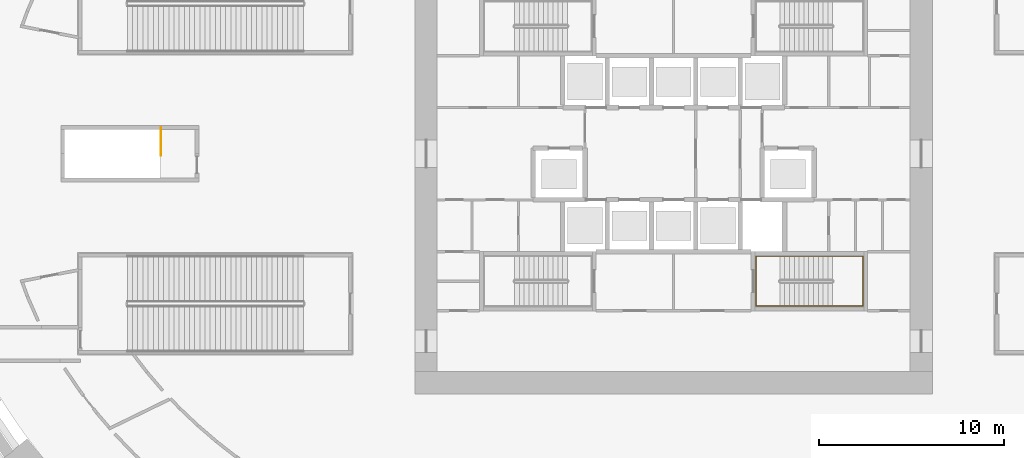
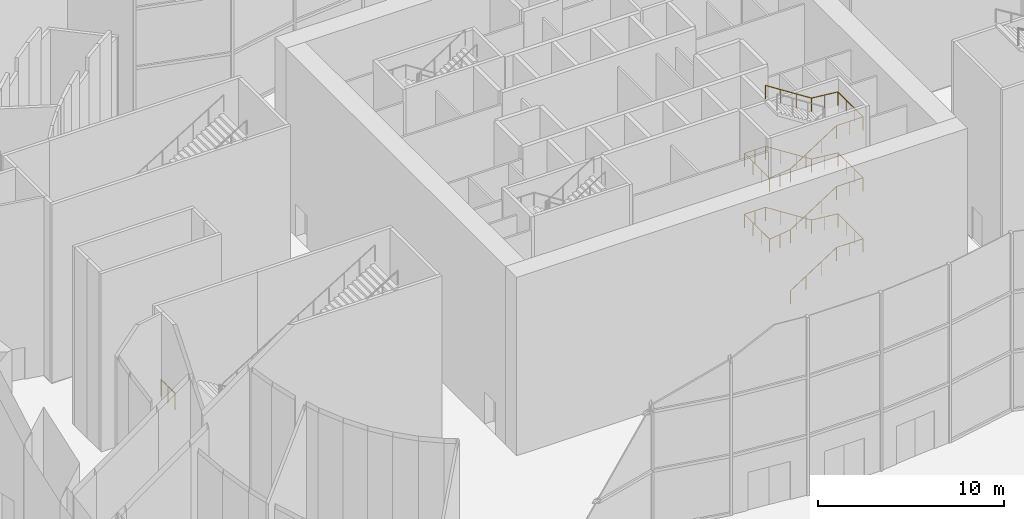
# One storey, part 19 of 25: 2 railings.
"""IFC4 building model written with IfcOpenShell, lengths in metres."""

import ifcopenshell
import ifcopenshell.guid

model = None  # the IFC model being written
_history = None  # IfcOwnerHistory: only IFC2X3 demands one
_inside = {}  # id of a spatial element -> (the spatial element, [elements in it])
_under = {}  # id of a project, library or spatial element -> (it, [spatial elements below it])
_declared = {}  # id of a project -> (the project, [libraries it declares])
_typed = {}  # id of a type object -> (the type object, [elements of that type])
_made_of = {}  # id of a material, layer set ... -> (it, [elements and type objects made of it])


def new_model(schema):
    """Start an empty IFC model of exactly this schema.

    Asked for "IFC4X3", IfcOpenShell would pick the latest addendum, in which some entities
    have other attributes; the version numbers below select the first issue.
    IFC2X3 requires an IfcOwnerHistory on every rooted entity: one is made here for all.
    """
    global model, _history
    if schema == "IFC4X3":
        model = ifcopenshell.file(schema_version=(4, 3, 0, 0))
    else:
        model = ifcopenshell.file(schema=schema)
    _inside.clear()
    _under.clear()
    _declared.clear()
    _typed.clear()
    _made_of.clear()
    _history = None
    if model.schema == "IFC2X3":
        org = make("IfcOrganization", Name="unknown")
        user = make(
            "IfcPersonAndOrganization",
            ThePerson=make("IfcPerson", FamilyName="unknown"),
            TheOrganization=org,
        )
        app = make(
            "IfcApplication",
            ApplicationDeveloper=org,
            Version="unknown",
            ApplicationFullName="unknown",
            ApplicationIdentifier="unknown",
        )
        _history = make(
            "IfcOwnerHistory",
            OwningUser=user,
            OwningApplication=app,
            ChangeAction="ADDED",
            CreationDate=0,
        )
    return model


def make(cls, **values):
    """One entity of the class cls with the attributes given. An attribute that is None is left unset."""
    return model.create_entity(
        cls, **{name: value for name, value in values.items() if value is not None}
    )


def rooted(cls, **values):
    """An entity with a GlobalId (a new one), such as an element, a storey or a relation."""
    return make(cls, GlobalId=ifcopenshell.guid.new(), OwnerHistory=_history, **values)


def si_unit(unit_type, name, prefix=None):
    """IfcSIUnit, for example si_unit("LENGTHUNIT", "METRE", prefix="MILLI")."""
    return make("IfcSIUnit", UnitType=unit_type, Prefix=prefix, Name=name)


def assignment(units):
    """IfcUnitAssignment: the units of a project."""
    return None if units is None else make("IfcUnitAssignment", Units=units)


def point(xyz):
    """IfcCartesianPoint."""
    return None if xyz is None else make("IfcCartesianPoint", Coordinates=xyz)


def direction(xyz):
    """IfcDirection."""
    return None if xyz is None else make("IfcDirection", DirectionRatios=xyz)


def frame(location, z_axis=None, x_axis=None):
    """IfcAxis2Placement3D, a coordinate frame: its origin and axes. An axis left out is left unset."""
    return make(
        "IfcAxis2Placement3D",
        Location=point(location),
        Axis=direction(z_axis),
        RefDirection=direction(x_axis),
    )


def frame_2d(location, x_axis=None):
    """IfcAxis2Placement2D, a coordinate frame in the plane: its origin and x axis."""
    return make(
        "IfcAxis2Placement2D", Location=point(location), RefDirection=direction(x_axis)
    )


def origin():
    """The frame at (0, 0, 0) with its axes left unset."""
    return frame((0.0, 0.0, 0.0))


def origin_2d():
    """The frame at (0, 0) in the plane with its x axis left unset."""
    return frame_2d((0.0, 0.0))


def place(relative_to, where):
    """IfcLocalPlacement: puts the frame where relative to a parent placement (None: the world)."""
    return make(
        "IfcLocalPlacement", PlacementRelTo=relative_to, RelativePlacement=where
    )


def context(
    kind, dimensions, precision=None, world=None, true_north=None, identifier=None
):
    """IfcGeometricRepresentationContext, for example the 3D "Model" context."""
    return make(
        "IfcGeometricRepresentationContext",
        ContextIdentifier=identifier,
        ContextType=kind,
        CoordinateSpaceDimension=dimensions,
        Precision=precision,
        WorldCoordinateSystem=world,
        TrueNorth=true_north,
    )


def subcontext(parent, identifier, kind, view, scale=None):
    """IfcGeometricRepresentationSubContext, for example "Body" below "Model"."""
    return make(
        "IfcGeometricRepresentationSubContext",
        ContextIdentifier=identifier,
        ContextType=kind,
        ParentContext=parent,
        TargetScale=scale,
        TargetView=view,
    )


def project(units=None, contexts=None):
    """IfcProject with its units and contexts."""
    return rooted(
        "IfcProject",
        Name="project",
        RepresentationContexts=contexts,
        UnitsInContext=assignment(units),
    )


def spatial(cls, under=None, at=None, **own):
    """A site, building, storey or space (cls), placed at a placement, below another one or the project."""
    s = rooted(cls, ObjectPlacement=at, **own)
    if under is not None:
        _under.setdefault(under.id(), (under, []))[1].append(s)
    return s


def profile(cls, at=None, kind="AREA", **sizes):
    """A parametric profile (cls). Its sizes go by their IFC names, for example OverallWidth=200.0."""
    return make(cls, ProfileType=kind, Position=at, **sizes)


def circle(**sizes):
    """IfcCircleProfileDef."""
    return profile("IfcCircleProfileDef", **sizes)


def extrude(swept, where, along, depth):
    """IfcExtrudedAreaSolid: the profile swept, set in the frame where, extruded along a direction by depth."""
    return make(
        "IfcExtrudedAreaSolid",
        SweptArea=swept,
        Position=where,
        ExtrudedDirection=direction(along),
        Depth=depth,
    )


def shape(context_of_items, identifier, shape_type, items):
    """IfcShapeRepresentation: the items that make up one representation, for example the "Body"."""
    return make(
        "IfcShapeRepresentation",
        ContextOfItems=context_of_items,
        RepresentationIdentifier=identifier,
        RepresentationType=shape_type,
        Items=items,
    )


def source(mapping_origin, context_of_items, identifier, shape_type, items):
    """IfcRepresentationMap: a shape defined once, which mapped items show again and again."""
    return make(
        "IfcRepresentationMap",
        MappingOrigin=mapping_origin,
        MappedRepresentation=shape(context_of_items, identifier, shape_type, items),
    )


def transform(
    local_origin,
    x_axis=None,
    y_axis=None,
    z_axis=None,
    scale=None,
    scale2=None,
    scale3=None,
    uniform=True,
):
    """IfcCartesianTransformationOperator3D, or its non-uniform kind. x_axis, y_axis, z_axis: its Axis1, 2, 3."""
    if uniform:
        return make(
            "IfcCartesianTransformationOperator3D",
            Axis1=direction(x_axis),
            Axis2=direction(y_axis),
            LocalOrigin=point(local_origin),
            Scale=scale,
            Axis3=direction(z_axis),
        )
    return make(
        "IfcCartesianTransformationOperator3DnonUniform",
        Axis1=direction(x_axis),
        Axis2=direction(y_axis),
        LocalOrigin=point(local_origin),
        Scale=scale,
        Axis3=direction(z_axis),
        Scale2=scale2,
        Scale3=scale3,
    )


def mapped(mapping_source, mapping_target):
    """IfcMappedItem: shows the shape of a source again, moved by a transform."""
    return make(
        "IfcMappedItem", MappingSource=mapping_source, MappingTarget=mapping_target
    )


def material(Name=None, Category=None):
    """IfcMaterial."""
    return make("IfcMaterial", Name=Name, Category=Category)


def made_of(thing, what):
    """Note that an element or type object is made of a material, layer set ...; save() writes the relation."""
    if what is not None:
        _made_of.setdefault(what.id(), (what, []))[1].append(thing)
    return thing


def type_object(cls, material=None, **own):
    """A type object (cls), such as IfcWallType, which elements share."""
    return made_of(rooted(cls, **own), material)


def element(
    cls,
    number,
    at=None,
    inside=None,
    cuts=None,
    type_object=None,
    material=None,
    context=None,
    identifier="Body",
    shape_type=None,
    held_by="IfcProductDefinitionShape",
    body=None,
    shapes=None,
    **own,
):
    """One element of the class cls, such as IfcWall. Its Tag is "e" and its number.

    at: its placement. inside: the storey or other place that contains it. cuts: it is an
    opening in that element (IfcRelVoidsElement). A single representation is given by context,
    identifier, shape_type and body (its items); several are given by shapes. held_by: the class
    of the entity that holds the representations. save() writes the other relations.
    """
    e = rooted(cls, Tag="e%d" % number, ObjectPlacement=at, **own)
    if body is not None:
        shapes = [shape(context, identifier, shape_type, body)]
    if shapes is not None:
        e.Representation = make(held_by, Representations=shapes)
    if inside is not None:
        _inside.setdefault(inside.id(), (inside, []))[1].append(e)
    if cuts is not None:
        rooted(
            "IfcRelVoidsElement", RelatingBuildingElement=cuts, RelatedOpeningElement=e
        )
    if type_object is not None:
        _typed.setdefault(type_object.id(), (type_object, []))[1].append(e)
    return made_of(e, material)


def aggregate(whole, parts):
    """IfcRelAggregates: a whole, such as a stair, and the parts it consists of."""
    return rooted("IfcRelAggregates", RelatingObject=whole, RelatedObjects=parts)


def save(model, path):
    """Write the relations noted so far, then the file.

    IfcRelAggregates (storeys below a building ...), IfcRelContainedInSpatialStructure (elements
    in a storey), IfcRelDefinesByType, IfcRelAssociatesMaterial and IfcRelDeclares: one each for
    every whole, place, type object, material and project.
    """
    for whole, parts in _under.values():
        aggregate(whole, parts)
    for where, things in _inside.values():
        rooted(
            "IfcRelContainedInSpatialStructure",
            RelatedElements=things,
            RelatingStructure=where,
        )
    for kind, things in _typed.values():
        rooted("IfcRelDefinesByType", RelatedObjects=things, RelatingType=kind)
    for what, things in _made_of.values():
        rooted("IfcRelAssociatesMaterial", RelatedObjects=things, RelatingMaterial=what)
    for by, libraries in _declared.values():
        rooted("IfcRelDeclares", RelatingContext=by, RelatedDefinitions=libraries)
    model.write(path)


model = new_model("IFC4")

# Units and contexts
model_context = context("Model", 3, precision=1e-05, world=origin(), true_north=direction((0.0, 1.0)))
body_context = subcontext(model_context, "Body", "Model", "MODEL_VIEW")
ifc_project = project(units=[si_unit("LENGTHUNIT", "METRE"), si_unit("AREAUNIT", "SQUARE_METRE"), si_unit("VOLUMEUNIT", "CUBIC_METRE"), si_unit("PLANEANGLEUNIT", "RADIAN"), si_unit("MASSUNIT", "GRAM", prefix="KILO")], contexts=[model_context])

# Site, building, storey
site_placement = place(None, origin())
site = spatial("IfcSite", under=ifc_project, at=site_placement, CompositionType="ELEMENT")
building_placement = place(site_placement, origin())
building = spatial("IfcBuilding", under=site, at=building_placement, Name="Embergate Tower", CompositionType="ELEMENT")
storey_placement = place(building_placement, origin())
storey = spatial("IfcBuildingStorey", under=building, at=storey_placement, Name="L00", CompositionType="ELEMENT", Elevation=0.0)

# Railings
ifc_material_1 = material(Name="Stair handrail 900")
railing_type_1 = type_object("IfcRailingType", Name="Stair handrail 900", PredefinedType="HANDRAIL", material=ifc_material_1)
shared_shape_1 = source(origin(), body_context, "Body", "SweptSolid", [
    extrude(circle(Radius=0.02392578125, at=origin_2d()), frame((0.0, 0.0, 0.8759765625), z_axis=(0.841899231129, 0.0, 0.539634769658), x_axis=(0.0, 1.0, 0.0)), (0.0, 0.0, 1.0), 3.397216796875),
    extrude(circle(Radius=0.02392578125, at=origin_2d()), frame((2.860107421875, 0.0, 2.708984375), z_axis=(1.0, 0.0, 0.0), x_axis=(0.0, 1.0, 0.0)), (0.0, 0.0, 1.0), 1.639892578125),
    extrude(circle(Radius=0.02392578125, at=origin_2d()), frame((4.5, 0.0, 2.708984375), z_axis=(0.0, 1.0, 0.0), x_axis=(-1.0, 0.0, 0.0)), (0.0, 0.0, 1.0), 2.699951171875),
    extrude(circle(Radius=0.02392578125, at=origin_2d()), frame((4.5, 2.699951171875, 2.708984375), z_axis=(-0.99487010061, 0.0, 0.101160678683), x_axis=(0.0, -1.0, 0.0)), (0.0, 0.0, 1.0), 1.6484375),
    extrude(circle(Radius=0.02392578125, at=origin_2d()), frame((2.860107421875, 2.699951171875, 2.8759765625), z_axis=(-0.841899231129, 0.0, 0.539634769658), x_axis=(0.0, -1.0, 0.0)), (0.0, 0.0, 1.0), 3.397216796875),
    extrude(circle(Radius=0.02392578125, at=origin_2d()), frame((0.0, 2.699951171875, 4.708984375), z_axis=(-1.0, 0.0, 0.0), x_axis=(0.0, -1.0, 0.0)), (0.0, 0.0, 1.0), 1.300048828125),
    extrude(circle(Radius=0.02392578125, at=origin_2d()), frame((-1.300048828125, 2.699951171875, 4.708984375), z_axis=(0.0, -1.0, 0.0), x_axis=(1.0, 0.0, 0.0)), (0.0, 0.0, 1.0), 2.699951171875),
    extrude(circle(Radius=0.02392578125, at=origin_2d()), frame((-1.300048828125, 0.0, 4.708984375), z_axis=(0.991874434073, 0.0, 0.12722070206), x_axis=(0.0, 1.0, 0.0)), (0.0, 0.0, 1.0), 1.310791015625),
    extrude(circle(Radius=0.02392578125, at=origin_2d()), frame((0.0, 0.0, 4.8759765625), z_axis=(0.841899231129, 0.0, 0.539634769658), x_axis=(0.0, 1.0, 0.0)), (0.0, 0.0, 1.0), 3.397216796875),
    extrude(circle(Radius=0.02392578125, at=origin_2d()), frame((2.860107421875, 0.0, 6.708984375), z_axis=(1.0, 0.0, 0.0), x_axis=(0.0, 1.0, 0.0)), (0.0, 0.0, 1.0), 1.639892578125),
    extrude(circle(Radius=0.02392578125, at=origin_2d()), frame((4.5, 0.0, 6.708984375), z_axis=(0.0, 1.0, 0.0), x_axis=(-1.0, 0.0, 0.0)), (0.0, 0.0, 1.0), 2.699951171875),
    extrude(circle(Radius=0.02392578125, at=origin_2d()), frame((4.5, 2.699951171875, 6.708984375), z_axis=(-0.99487010061, 0.0, 0.101160678683), x_axis=(0.0, -1.0, 0.0)), (0.0, 0.0, 1.0), 1.6484375),
    extrude(circle(Radius=0.02392578125, at=origin_2d()), frame((2.860107421875, 2.699951171875, 6.8759765625), z_axis=(-0.841899231129, 0.0, 0.539634769658), x_axis=(0.0, -1.0, 0.0)), (0.0, 0.0, 1.0), 3.397216796875),
    extrude(circle(Radius=0.02392578125, at=origin_2d()), frame((0.0, 2.699951171875, 8.708984375), z_axis=(-1.0, 0.0, 0.0), x_axis=(0.0, -1.0, 0.0)), (0.0, 0.0, 1.0), 1.300048828125),
    extrude(circle(Radius=0.02392578125, at=origin_2d()), frame((-1.300048828125, 2.699951171875, 8.708984375), z_axis=(0.0, -1.0, 0.0), x_axis=(1.0, 0.0, 0.0)), (0.0, 0.0, 1.0), 2.699951171875),
    extrude(circle(Radius=0.02392578125, at=origin_2d()), frame((-1.300048828125, 0.0, 8.708984375), z_axis=(0.991874434073, 0.0, 0.12722070206), x_axis=(0.0, 1.0, 0.0)), (0.0, 0.0, 1.0), 1.310791015625),
    extrude(circle(Radius=0.02392578125, at=origin_2d()), frame((0.0, 0.0, 8.8759765625), z_axis=(0.841899231129, 0.0, 0.539634769658), x_axis=(0.0, 1.0, 0.0)), (0.0, 0.0, 1.0), 3.397216796875),
    extrude(circle(Radius=0.02392578125, at=origin_2d()), frame((2.860107421875, 0.0, 10.708984375), z_axis=(1.0, 0.0, 0.0), x_axis=(0.0, 1.0, 0.0)), (0.0, 0.0, 1.0), 1.639892578125),
    extrude(circle(Radius=0.02392578125, at=origin_2d()), frame((4.5, 0.0, 10.708984375), z_axis=(0.0, 1.0, 0.0), x_axis=(-1.0, 0.0, 0.0)), (0.0, 0.0, 1.0), 2.699951171875),
    extrude(circle(Radius=0.02392578125, at=origin_2d()), frame((4.5, 2.699951171875, 10.708984375), z_axis=(-0.99487010061, 0.0, 0.101160678683), x_axis=(0.0, -1.0, 0.0)), (0.0, 0.0, 1.0), 1.6484375),
    extrude(circle(Radius=0.02392578125, at=origin_2d()), frame((2.860107421875, 2.699951171875, 10.8759765625), z_axis=(-0.841899231129, 0.0, 0.539634769658), x_axis=(0.0, -1.0, 0.0)), (0.0, 0.0, 1.0), 3.397216796875),
    extrude(circle(Radius=0.02099609375, at=origin_2d()), origin(), (0.0, 0.0, 1.0), 0.851806640625),
    extrude(circle(Radius=0.02099609375, at=origin_2d()), frame((0.953369140625, 0.0, 0.611083984375)), (0.0, 0.0, 1.0), 0.851806640625),
    extrude(circle(Radius=0.02099609375, at=origin_2d()), frame((1.90673828125, 0.0, 1.22216796875)), (0.0, 0.0, 1.0), 0.851806640625),
    extrude(circle(Radius=0.02099609375, at=origin_2d()), frame((2.860107421875, 0.0, 1.833251953125)), (0.0, 0.0, 1.0), 0.851806640625),
    extrude(circle(Radius=0.02099609375, at=origin_2d()), frame((3.68017578125, 0.0, 1.833251953125)), (0.0, 0.0, 1.0), 0.851806640625),
    extrude(circle(Radius=0.02099609375, at=origin_2d()), frame((4.5, 0.0, 1.833251953125)), (0.0, 0.0, 1.0), 0.851806640625),
    extrude(circle(Radius=0.02099609375, at=origin_2d()), frame((4.5, 0.89990234375, 1.833251953125)), (0.0, 0.0, 1.0), 0.851806640625),
    extrude(circle(Radius=0.02099609375, at=origin_2d()), frame((4.5, 1.800048828125, 1.833251953125)), (0.0, 0.0, 1.0), 0.851806640625),
    extrude(circle(Radius=0.02099609375, at=origin_2d()), frame((4.5, 2.699951171875, 1.833251953125)), (0.0, 0.0, 1.0), 0.851806640625),
    extrude(circle(Radius=0.02099609375, at=origin_2d()), frame((3.68017578125, 2.699951171875, 1.91650390625)), (0.0, 0.0, 1.0), 0.851806640625),
    extrude(circle(Radius=0.02099609375, at=origin_2d()), frame((2.860107421875, 2.699951171875, 2.0)), (0.0, 0.0, 1.0), 0.851806640625),
    extrude(circle(Radius=0.02099609375, at=origin_2d()), frame((1.90673828125, 2.699951171875, 2.611083984375)), (0.0, 0.0, 1.0), 0.851806640625),
    extrude(circle(Radius=0.02099609375, at=origin_2d()), frame((0.953369140625, 2.699951171875, 3.22216796875)), (0.0, 0.0, 1.0), 0.851806640625),
    extrude(circle(Radius=0.02099609375, at=origin_2d()), frame((0.0, 2.699951171875, 3.833251953125)), (0.0, 0.0, 1.0), 0.851806640625),
    extrude(circle(Radius=0.02099609375, at=origin_2d()), frame((-0.64990234375, 2.699951171875, 3.833251953125)), (0.0, 0.0, 1.0), 0.851806640625),
    extrude(circle(Radius=0.02099609375, at=origin_2d()), frame((-1.300048828125, 2.699951171875, 3.833251953125)), (0.0, 0.0, 1.0), 0.851806640625),
    extrude(circle(Radius=0.02099609375, at=origin_2d()), frame((-1.300048828125, 1.800048828125, 3.833251953125)), (0.0, 0.0, 1.0), 0.851806640625),
    extrude(circle(Radius=0.02099609375, at=origin_2d()), frame((-1.300048828125, 0.89990234375, 3.833251953125)), (0.0, 0.0, 1.0), 0.851806640625),
    extrude(circle(Radius=0.02099609375, at=origin_2d()), frame((-1.300048828125, 0.0, 3.833251953125)), (0.0, 0.0, 1.0), 0.851806640625),
    extrude(circle(Radius=0.02099609375, at=origin_2d()), frame((-0.64990234375, 0.0, 3.91650390625)), (0.0, 0.0, 1.0), 0.851806640625),
    extrude(circle(Radius=0.02099609375, at=origin_2d()), frame((0.0, 0.0, 4.0)), (0.0, 0.0, 1.0), 0.851806640625),
    extrude(circle(Radius=0.02099609375, at=origin_2d()), frame((0.953369140625, 0.0, 4.611083984375)), (0.0, 0.0, 1.0), 0.851806640625),
    extrude(circle(Radius=0.02099609375, at=origin_2d()), frame((1.90673828125, 0.0, 5.22216796875)), (0.0, 0.0, 1.0), 0.851806640625),
    extrude(circle(Radius=0.02099609375, at=origin_2d()), frame((2.860107421875, 0.0, 5.833251953125)), (0.0, 0.0, 1.0), 0.851806640625),
    extrude(circle(Radius=0.02099609375, at=origin_2d()), frame((3.68017578125, 0.0, 5.833251953125)), (0.0, 0.0, 1.0), 0.851806640625),
    extrude(circle(Radius=0.02099609375, at=origin_2d()), frame((4.5, 0.0, 5.833251953125)), (0.0, 0.0, 1.0), 0.851806640625),
    extrude(circle(Radius=0.02099609375, at=origin_2d()), frame((4.5, 0.89990234375, 5.833251953125)), (0.0, 0.0, 1.0), 0.851806640625),
    extrude(circle(Radius=0.02099609375, at=origin_2d()), frame((4.5, 1.800048828125, 5.833251953125)), (0.0, 0.0, 1.0), 0.851806640625),
    extrude(circle(Radius=0.02099609375, at=origin_2d()), frame((4.5, 2.699951171875, 5.833251953125)), (0.0, 0.0, 1.0), 0.851806640625),
    extrude(circle(Radius=0.02099609375, at=origin_2d()), frame((3.68017578125, 2.699951171875, 5.91650390625)), (0.0, 0.0, 1.0), 0.851806640625),
    extrude(circle(Radius=0.02099609375, at=origin_2d()), frame((2.860107421875, 2.699951171875, 6.0)), (0.0, 0.0, 1.0), 0.851806640625),
    extrude(circle(Radius=0.02099609375, at=origin_2d()), frame((1.90673828125, 2.699951171875, 6.611083984375)), (0.0, 0.0, 1.0), 0.851806640625),
    extrude(circle(Radius=0.02099609375, at=origin_2d()), frame((0.953369140625, 2.699951171875, 7.22216796875)), (0.0, 0.0, 1.0), 0.851806640625),
    extrude(circle(Radius=0.02099609375, at=origin_2d()), frame((0.0, 2.699951171875, 7.833251953125)), (0.0, 0.0, 1.0), 0.851806640625),
    extrude(circle(Radius=0.02099609375, at=origin_2d()), frame((-0.64990234375, 2.699951171875, 7.833251953125)), (0.0, 0.0, 1.0), 0.851806640625),
    extrude(circle(Radius=0.02099609375, at=origin_2d()), frame((-1.300048828125, 2.699951171875, 7.833251953125)), (0.0, 0.0, 1.0), 0.851806640625),
    extrude(circle(Radius=0.02099609375, at=origin_2d()), frame((-1.300048828125, 1.800048828125, 7.833251953125)), (0.0, 0.0, 1.0), 0.851806640625),
    extrude(circle(Radius=0.02099609375, at=origin_2d()), frame((-1.300048828125, 0.89990234375, 7.833251953125)), (0.0, 0.0, 1.0), 0.851806640625),
    extrude(circle(Radius=0.02099609375, at=origin_2d()), frame((-1.300048828125, 0.0, 7.833251953125)), (0.0, 0.0, 1.0), 0.851806640625),
    extrude(circle(Radius=0.02099609375, at=origin_2d()), frame((-0.64990234375, 0.0, 7.91650390625)), (0.0, 0.0, 1.0), 0.851806640625),
    extrude(circle(Radius=0.02099609375, at=origin_2d()), frame((0.0, 0.0, 8.0)), (0.0, 0.0, 1.0), 0.851806640625),
    extrude(circle(Radius=0.02099609375, at=origin_2d()), frame((0.953369140625, 0.0, 8.611083984375)), (0.0, 0.0, 1.0), 0.851806640625),
    extrude(circle(Radius=0.02099609375, at=origin_2d()), frame((1.90673828125, 0.0, 9.22216796875)), (0.0, 0.0, 1.0), 0.851806640625),
    extrude(circle(Radius=0.02099609375, at=origin_2d()), frame((2.860107421875, 0.0, 9.833251953125)), (0.0, 0.0, 1.0), 0.851806640625),
    extrude(circle(Radius=0.02099609375, at=origin_2d()), frame((3.68017578125, 0.0, 9.833251953125)), (0.0, 0.0, 1.0), 0.851806640625),
    extrude(circle(Radius=0.02099609375, at=origin_2d()), frame((4.5, 0.0, 9.833251953125)), (0.0, 0.0, 1.0), 0.851806640625),
    extrude(circle(Radius=0.02099609375, at=origin_2d()), frame((4.5, 0.89990234375, 9.833251953125)), (0.0, 0.0, 1.0), 0.851806640625),
    extrude(circle(Radius=0.02099609375, at=origin_2d()), frame((4.5, 1.800048828125, 9.833251953125)), (0.0, 0.0, 1.0), 0.851806640625),
    extrude(circle(Radius=0.02099609375, at=origin_2d()), frame((4.5, 2.699951171875, 9.833251953125)), (0.0, 0.0, 1.0), 0.851806640625),
    extrude(circle(Radius=0.02099609375, at=origin_2d()), frame((3.68017578125, 2.699951171875, 9.91650390625)), (0.0, 0.0, 1.0), 0.851806640625),
    extrude(circle(Radius=0.02099609375, at=origin_2d()), frame((2.860107421875, 2.699951171875, 10.0)), (0.0, 0.0, 1.0), 0.851806640625),
    extrude(circle(Radius=0.02099609375, at=origin_2d()), frame((1.90673828125, 2.699951171875, 10.611083984375)), (0.0, 0.0, 1.0), 0.851806640625),
    extrude(circle(Radius=0.02099609375, at=origin_2d()), frame((0.953369140625, 2.699951171875, 11.22216796875)), (0.0, 0.0, 1.0), 0.851806640625),
    extrude(circle(Radius=0.02099609375, at=origin_2d()), frame((0.0, 2.699951171875, 11.833251953125)), (0.0, 0.0, 1.0), 0.851806640625),
])
railing_1_placement = place(storey_placement, frame((5.75, -8.25, 0.166748046875)))
element("IfcRailing", 1, at=railing_1_placement, inside=storey, type_object=railing_type_1, Name="L00 ST4 stair handrail 1", PredefinedType="HANDRAIL", context=body_context, shape_type="MappedRepresentation", body=[
    mapped(shared_shape_1, transform((0.0, 0.0, 0.0))),
])
ifc_material_2 = material(Name="Steel", Category="steel")
railing_type_2 = type_object("IfcRailingType", Name="Exit stair guard 1100", PredefinedType="GUARDRAIL", material=ifc_material_2)
shared_shape_2 = source(origin(), body_context, "Body", "SweptSolid", [
    extrude(circle(Radius=0.02392578125, at=origin_2d()), frame((0.0, 0.0, 1.076171875), z_axis=(0.0, -1.0, 0.0), x_axis=(1.0, 0.0, 0.0)), (0.0, 0.0, 1.0), 1.5),
    extrude(circle(Radius=0.02099609375, at=origin_2d()), origin(), (0.0, 0.0, 1.0), 1.052001953125),
    extrude(circle(Radius=0.02099609375, at=origin_2d()), frame((0.0, -0.75, 0.0)), (0.0, 0.0, 1.0), 1.052001953125),
    extrude(circle(Radius=0.02099609375, at=origin_2d()), frame((0.0, -1.5, 0.0)), (0.0, 0.0, 1.0), 1.052001953125),
])
railing_2_placement = place(storey_placement, frame((-27.75, 1.425048828125, 0.0)))
element("IfcRailing", 2, at=railing_2_placement, inside=storey, type_object=railing_type_2, Name="L00 XW1 top well guard 1", PredefinedType="GUARDRAIL", context=body_context, shape_type="MappedRepresentation", body=[
    mapped(shared_shape_2, transform((0.0, 0.0, 0.0))),
])

save(model, "model.ifc")
